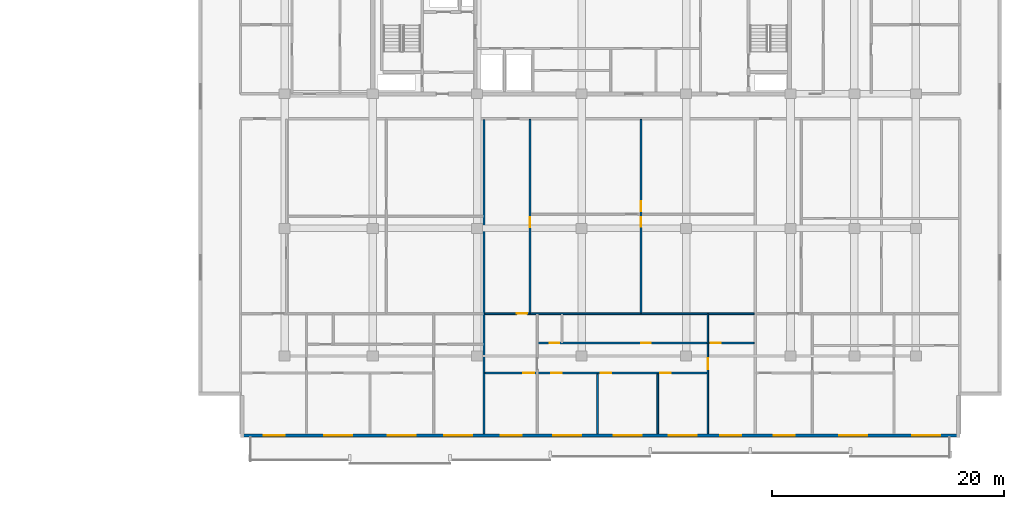
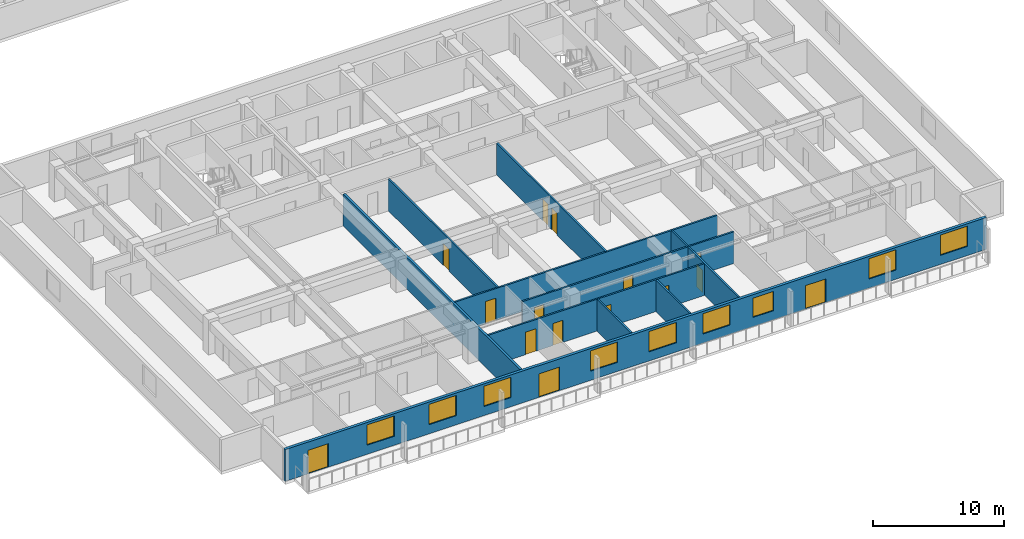
# One storey, part 4 of 23: 15 doors, 11 walls, 9 windows, 24 openings.
"""IFC4 building model written with IfcOpenShell, lengths in metres."""

from ifc_helpers import new_model, si_unit, direction, frame, frame_2d, origin, place, context, subcontext, project, spatial, rectangle, extrude, material, layer, layer_set, type_object, element, fill, save


model = new_model("IFC4")

# Units and contexts
model_context = context("Model", 3, precision=1e-05, world=origin(), true_north=direction((0.0, 1.0)))
body_context = subcontext(model_context, "Body", "Model", "MODEL_VIEW")
ifc_project = project(units=[si_unit("LENGTHUNIT", "METRE"), si_unit("AREAUNIT", "SQUARE_METRE"), si_unit("VOLUMEUNIT", "CUBIC_METRE"), si_unit("PLANEANGLEUNIT", "RADIAN"), si_unit("MASSUNIT", "GRAM", prefix="KILO")], contexts=[model_context])

# Site, building, storey
site_placement = place(None, origin())
site = spatial("IfcSite", under=ifc_project, at=site_placement, CompositionType="ELEMENT")
building_placement = place(site_placement, origin())
building = spatial("IfcBuilding", under=site, at=building_placement, Name="Korimba Cascade Residences", CompositionType="ELEMENT")
storey_placement = place(building_placement, frame((0.0, 0.0, 59.75)))
storey = spatial("IfcBuildingStorey", under=building, at=storey_placement, Name="L16", CompositionType="ELEMENT", Elevation=59.75)

# Wall, openings, doors, windows
ifc_material_1 = material(Name="Precast concrete C40/50", Category="concrete")
ifc_layer_1 = layer(ifc_material_1, 0.25)
ifc_layer_set_1 = layer_set([ifc_layer_1], Name="Precast concrete C40/50")
wall_type_1 = type_object("IfcWallType", Name="EW-LOG-250", PredefinedType="STANDARD", material=ifc_layer_set_1)
wall_1_placement = place(storey_placement, frame((70.699951171875, -11.050048828125, 0.0), z_axis=(0.0, 0.0, 1.0), x_axis=(1.0, 0.0, 0.0)))
wall_1 = element("IfcWall", 1, at=wall_1_placement, inside=storey, type_object=wall_type_1, Name="L16 T2 Perimeter Stone Wall E00", PredefinedType="STANDARD", context=body_context, shape_type="SweptSolid", body=[
    extrude(rectangle(XDim=62.0, YDim=0.25, at=frame_2d((31.0, 0.0))), origin(), (0.0, 0.0, 1.0), 2.969970703125),
])
opening_1_placement = place(wall_1_placement, frame((7.224609375, 0.0, 0.85009765625)))
opening_1 = element("IfcOpeningElement", 2, at=opening_1_placement, cuts=wall_1, Name="Opening W-01", PredefinedType="OPENING", context=body_context, shape_type="SweptSolid", body=[
    extrude(rectangle(XDim=2.39990234375, YDim=1.89990234375, at=frame_2d((1.199951171875, 0.949951171875))), frame((0.0, 0.135009765625, 0.0), z_axis=(0.0, -1.0, 0.0), x_axis=(1.0, 0.0, 0.0)), (0.0, 0.0, 1.0), 0.27001953125),
])
opening_2_placement = place(wall_1_placement, frame((12.7138671875, 0.0, 0.85009765625)))
opening_2 = element("IfcOpeningElement", 3, at=opening_2_placement, cuts=wall_1, Name="Opening W-01", PredefinedType="OPENING", context=body_context, shape_type="SweptSolid", body=[
    extrude(rectangle(XDim=2.39990234375, YDim=1.89990234375, at=frame_2d((1.199951171875, 0.949951171875))), frame((0.0, 0.135009765625, 0.0), z_axis=(0.0, -1.0, 0.0), x_axis=(1.0, 0.0, 0.0)), (0.0, 0.0, 1.0), 0.27001953125),
])
opening_3_placement = place(wall_1_placement, frame((2.0, 0.0, 0.0)))
opening_3 = element("IfcOpeningElement", 4, at=opening_3_placement, cuts=wall_1, Name="Opening D-LG1", PredefinedType="OPENING", context=body_context, shape_type="SweptSolid", body=[
    extrude(rectangle(XDim=1.800048828125, YDim=2.199951171875, at=frame_2d((0.89990234375, 1.10009765625))), frame((0.0, 0.135009765625, 0.0), z_axis=(0.0, -1.0, 0.0), x_axis=(1.0, 0.0, 0.0)), (0.0, 0.0, 1.0), 0.27001953125),
])
opening_4_placement = place(wall_1_placement, frame((17.5634765625, 0.0, 0.85009765625)))
opening_4 = element("IfcOpeningElement", 5, at=opening_4_placement, cuts=wall_1, Name="Opening W-01", PredefinedType="OPENING", context=body_context, shape_type="SweptSolid", body=[
    extrude(rectangle(XDim=2.39990234375, YDim=1.89990234375, at=frame_2d((1.199951171875, 0.949951171875))), frame((0.0, 0.135009765625, 0.0), z_axis=(0.0, -1.0, 0.0), x_axis=(1.0, 0.0, 0.0)), (0.0, 0.0, 1.0), 0.27001953125),
])
opening_5_placement = place(wall_1_placement, frame((26.968505859375, 0.0, 0.85009765625)))
opening_5 = element("IfcOpeningElement", 6, at=opening_5_placement, cuts=wall_1, Name="Opening W-01", PredefinedType="OPENING", context=body_context, shape_type="SweptSolid", body=[
    extrude(rectangle(XDim=2.39990234375, YDim=1.89990234375, at=frame_2d((1.199951171875, 0.949951171875))), frame((0.0, 0.135009765625, 0.0), z_axis=(0.0, -1.0, 0.0), x_axis=(1.0, 0.0, 0.0)), (0.0, 0.0, 1.0), 0.27001953125),
])
opening_6_placement = place(wall_1_placement, frame((32.16845703125, 0.0, 0.85009765625)))
opening_6 = element("IfcOpeningElement", 7, at=opening_6_placement, cuts=wall_1, Name="Opening W-01", PredefinedType="OPENING", context=body_context, shape_type="SweptSolid", body=[
    extrude(rectangle(XDim=2.39990234375, YDim=1.89990234375, at=frame_2d((1.199951171875, 0.949951171875))), frame((0.0, 0.135009765625, 0.0), z_axis=(0.0, -1.0, 0.0), x_axis=(1.0, 0.0, 0.0)), (0.0, 0.0, 1.0), 0.27001953125),
])
opening_7_placement = place(wall_1_placement, frame((36.92431640625, 0.0, 0.85009765625)))
opening_7 = element("IfcOpeningElement", 8, at=opening_7_placement, cuts=wall_1, Name="Opening W-01", PredefinedType="OPENING", context=body_context, shape_type="SweptSolid", body=[
    extrude(rectangle(XDim=2.39990234375, YDim=1.89990234375, at=frame_2d((1.199951171875, 0.949951171875))), frame((0.0, 0.135009765625, 0.0), z_axis=(0.0, -1.0, 0.0), x_axis=(1.0, 0.0, 0.0)), (0.0, 0.0, 1.0), 0.27001953125),
])
opening_8_placement = place(wall_1_placement, frame((22.4384765625, 0.0, 0.0)))
opening_8 = element("IfcOpeningElement", 9, at=opening_8_placement, cuts=wall_1, Name="Opening D-LG1", PredefinedType="OPENING", context=body_context, shape_type="SweptSolid", body=[
    extrude(rectangle(XDim=1.800048828125, YDim=2.199951171875, at=frame_2d((0.89990234375, 1.10009765625))), frame((0.0, 0.135009765625, 0.0), z_axis=(0.0, -1.0, 0.0), x_axis=(1.0, 0.0, 0.0)), (0.0, 0.0, 1.0), 0.27001953125),
])
opening_9_placement = place(wall_1_placement, frame((41.35791015625, 0.0, 0.85009765625)))
opening_9 = element("IfcOpeningElement", 10, at=opening_9_placement, cuts=wall_1, Name="Opening W-02", PredefinedType="OPENING", context=body_context, shape_type="SweptSolid", body=[
    extrude(rectangle(XDim=1.800048828125, YDim=1.800048828125, at=frame_2d((0.89990234375, 0.89990234375))), frame((0.0, 0.135009765625, 0.0), z_axis=(0.0, -1.0, 0.0), x_axis=(1.0, 0.0, 0.0)), (0.0, 0.0, 1.0), 0.27001953125),
])
opening_10_placement = place(wall_1_placement, frame((51.60009765625, 0.0, 0.85009765625)))
opening_10 = element("IfcOpeningElement", 11, at=opening_10_placement, cuts=wall_1, Name="Opening W-01", PredefinedType="OPENING", context=body_context, shape_type="SweptSolid", body=[
    extrude(rectangle(XDim=2.39990234375, YDim=1.89990234375, at=frame_2d((1.199951171875, 0.949951171875))), frame((0.0, 0.135009765625, 0.0), z_axis=(0.0, -1.0, 0.0), x_axis=(1.0, 0.0, 0.0)), (0.0, 0.0, 1.0), 0.27001953125),
])
opening_11_placement = place(wall_1_placement, frame((45.977783203125, 0.0, 0.0)))
opening_11 = element("IfcOpeningElement", 12, at=opening_11_placement, cuts=wall_1, Name="Opening D-LG1", PredefinedType="OPENING", context=body_context, shape_type="SweptSolid", body=[
    extrude(rectangle(XDim=1.800048828125, YDim=2.199951171875, at=frame_2d((0.89990234375, 1.10009765625))), frame((0.0, 0.135009765625, 0.0), z_axis=(0.0, -1.0, 0.0), x_axis=(1.0, 0.0, 0.0)), (0.0, 0.0, 1.0), 0.27001953125),
])
opening_12_placement = place(wall_1_placement, frame((57.89990234375, 0.0, 0.85009765625)))
opening_12 = element("IfcOpeningElement", 13, at=opening_12_placement, cuts=wall_1, Name="Opening W-01", PredefinedType="OPENING", context=body_context, shape_type="SweptSolid", body=[
    extrude(rectangle(XDim=2.39990234375, YDim=1.89990234375, at=frame_2d((1.199951171875, 0.949951171875))), frame((0.0, 0.135009765625, 0.0), z_axis=(0.0, -1.0, 0.0), x_axis=(1.0, 0.0, 0.0)), (0.0, 0.0, 1.0), 0.27001953125),
])
ifc_material_2 = material(Name="Glazed Aluminium Loggia Sliding Door", Category="aluminium")
door_type_1 = type_object("IfcDoorType", Name="DR-EXT-LOG", OperationType="NOTDEFINED", PredefinedType="DOOR", material=ifc_material_2)
door_1_placement = place(opening_3_placement, origin())
door_1 = element("IfcDoor", 14, at=door_1_placement, inside=storey, type_object=door_type_1, Name="L16 T2 Loggia Sliding Door 5", OperationType="SLIDING_TO_RIGHT", OverallHeight=2.199951171875, OverallWidth=1.800048828125, PredefinedType="DOOR", context=body_context, shape_type="SweptSolid", body=[
    extrude(rectangle(XDim=1.800048828125, YDim=2.199951171875, at=frame_2d((0.89990234375, 1.10009765625))), frame((0.0, 0.02490234375, 0.0), z_axis=(0.0, -1.0, 0.0), x_axis=(1.0, 0.0, 0.0)), (0.0, 0.0, 1.0), 0.050048828125),
])
fill(opening_3, door_1)
door_2_placement = place(opening_8_placement, origin())
door_2 = element("IfcDoor", 15, at=door_2_placement, inside=storey, type_object=door_type_1, Name="L16 T2 Loggia Sliding Door 10", OperationType="SLIDING_TO_RIGHT", OverallHeight=2.199951171875, OverallWidth=1.800048828125, PredefinedType="DOOR", context=body_context, shape_type="SweptSolid", body=[
    extrude(rectangle(XDim=1.800048828125, YDim=2.199951171875, at=frame_2d((0.89990234375, 1.10009765625))), frame((0.0, 0.02490234375, 0.0), z_axis=(0.0, -1.0, 0.0), x_axis=(1.0, 0.0, 0.0)), (0.0, 0.0, 1.0), 0.050048828125),
])
fill(opening_8, door_2)
door_3_placement = place(opening_11_placement, origin())
door_3 = element("IfcDoor", 16, at=door_3_placement, inside=storey, type_object=door_type_1, Name="L16 T2 Loggia Sliding Door 13", OperationType="SLIDING_TO_RIGHT", OverallHeight=2.199951171875, OverallWidth=1.800048828125, PredefinedType="DOOR", context=body_context, shape_type="SweptSolid", body=[
    extrude(rectangle(XDim=1.800048828125, YDim=2.199951171875, at=frame_2d((0.89990234375, 1.10009765625))), frame((0.0, 0.02490234375, 0.0), z_axis=(0.0, -1.0, 0.0), x_axis=(1.0, 0.0, 0.0)), (0.0, 0.0, 1.0), 0.050048828125),
])
fill(opening_11, door_3)
ifc_material_3 = material(Name="Double-Glazed Aluminium Window", Category="aluminium")
window_type_1 = type_object("IfcWindowType", Name="WIN-BED-1800", PartitioningType="SINGLE_PANEL", PredefinedType="WINDOW", material=ifc_material_3)
window_1_placement = place(opening_9_placement, origin())
window_1 = element("IfcWindow", 17, at=window_1_placement, inside=storey, type_object=window_type_1, Name="L16 T2 South Facade Window 11", OverallHeight=1.800048828125, OverallWidth=1.800048828125, PartitioningType="SINGLE_PANEL", PredefinedType="WINDOW", context=body_context, shape_type="SweptSolid", body=[
    extrude(rectangle(XDim=1.800048828125, YDim=1.800048828125, at=frame_2d((0.89990234375, 0.89990234375))), frame((0.0, 0.030029296875, 0.0), z_axis=(0.0, -1.0, 0.0), x_axis=(1.0, 0.0, 0.0)), (0.0, 0.0, 1.0), 0.06005859375),
])
fill(opening_9, window_1)
window_type_2 = type_object("IfcWindowType", Name="WIN-RES-2400", PartitioningType="DOUBLE_PANEL_VERTICAL", PredefinedType="WINDOW", material=ifc_material_3)
window_2_placement = place(opening_1_placement, origin())
window_2 = element("IfcWindow", 18, at=window_2_placement, inside=storey, type_object=window_type_2, Name="L16 T2 South Facade Window 3", OverallHeight=1.89990234375, OverallWidth=2.39990234375, PartitioningType="DOUBLE_PANEL_VERTICAL", PredefinedType="WINDOW", context=body_context, shape_type="SweptSolid", body=[
    extrude(rectangle(XDim=2.39990234375, YDim=1.89990234375, at=frame_2d((1.199951171875, 0.949951171875))), frame((0.0, 0.030029296875, 0.0), z_axis=(0.0, -1.0, 0.0), x_axis=(1.0, 0.0, 0.0)), (0.0, 0.0, 1.0), 0.06005859375),
])
fill(opening_1, window_2)
window_3_placement = place(opening_2_placement, origin())
window_3 = element("IfcWindow", 19, at=window_3_placement, inside=storey, type_object=window_type_2, Name="L16 T2 South Facade Window 4", OverallHeight=1.89990234375, OverallWidth=2.39990234375, PartitioningType="DOUBLE_PANEL_VERTICAL", PredefinedType="WINDOW", context=body_context, shape_type="SweptSolid", body=[
    extrude(rectangle(XDim=2.39990234375, YDim=1.89990234375, at=frame_2d((1.199951171875, 0.949951171875))), frame((0.0, 0.030029296875, 0.0), z_axis=(0.0, -1.0, 0.0), x_axis=(1.0, 0.0, 0.0)), (0.0, 0.0, 1.0), 0.06005859375),
])
fill(opening_2, window_3)
window_4_placement = place(opening_4_placement, origin())
window_4 = element("IfcWindow", 20, at=window_4_placement, inside=storey, type_object=window_type_2, Name="L16 T2 South Facade Window 6", OverallHeight=1.89990234375, OverallWidth=2.39990234375, PartitioningType="DOUBLE_PANEL_VERTICAL", PredefinedType="WINDOW", context=body_context, shape_type="SweptSolid", body=[
    extrude(rectangle(XDim=2.39990234375, YDim=1.89990234375, at=frame_2d((1.199951171875, 0.949951171875))), frame((0.0, 0.030029296875, 0.0), z_axis=(0.0, -1.0, 0.0), x_axis=(1.0, 0.0, 0.0)), (0.0, 0.0, 1.0), 0.06005859375),
])
fill(opening_4, window_4)
window_5_placement = place(opening_5_placement, origin())
window_5 = element("IfcWindow", 21, at=window_5_placement, inside=storey, type_object=window_type_2, Name="L16 T2 South Facade Window 7", OverallHeight=1.89990234375, OverallWidth=2.39990234375, PartitioningType="DOUBLE_PANEL_VERTICAL", PredefinedType="WINDOW", context=body_context, shape_type="SweptSolid", body=[
    extrude(rectangle(XDim=2.39990234375, YDim=1.89990234375, at=frame_2d((1.199951171875, 0.949951171875))), frame((0.0, 0.030029296875, 0.0), z_axis=(0.0, -1.0, 0.0), x_axis=(1.0, 0.0, 0.0)), (0.0, 0.0, 1.0), 0.06005859375),
])
fill(opening_5, window_5)
window_6_placement = place(opening_6_placement, origin())
window_6 = element("IfcWindow", 22, at=window_6_placement, inside=storey, type_object=window_type_2, Name="L16 T2 South Facade Window 8", OverallHeight=1.89990234375, OverallWidth=2.39990234375, PartitioningType="DOUBLE_PANEL_VERTICAL", PredefinedType="WINDOW", context=body_context, shape_type="SweptSolid", body=[
    extrude(rectangle(XDim=2.39990234375, YDim=1.89990234375, at=frame_2d((1.199951171875, 0.949951171875))), frame((0.0, 0.030029296875, 0.0), z_axis=(0.0, -1.0, 0.0), x_axis=(1.0, 0.0, 0.0)), (0.0, 0.0, 1.0), 0.06005859375),
])
fill(opening_6, window_6)
window_7_placement = place(opening_7_placement, origin())
window_7 = element("IfcWindow", 23, at=window_7_placement, inside=storey, type_object=window_type_2, Name="L16 T2 South Facade Window 9", OverallHeight=1.89990234375, OverallWidth=2.39990234375, PartitioningType="DOUBLE_PANEL_VERTICAL", PredefinedType="WINDOW", context=body_context, shape_type="SweptSolid", body=[
    extrude(rectangle(XDim=2.39990234375, YDim=1.89990234375, at=frame_2d((1.199951171875, 0.949951171875))), frame((0.0, 0.030029296875, 0.0), z_axis=(0.0, -1.0, 0.0), x_axis=(1.0, 0.0, 0.0)), (0.0, 0.0, 1.0), 0.06005859375),
])
fill(opening_7, window_7)
window_8_placement = place(opening_10_placement, origin())
window_8 = element("IfcWindow", 24, at=window_8_placement, inside=storey, type_object=window_type_2, Name="L16 T2 South Facade Window 12", OverallHeight=1.89990234375, OverallWidth=2.39990234375, PartitioningType="DOUBLE_PANEL_VERTICAL", PredefinedType="WINDOW", context=body_context, shape_type="SweptSolid", body=[
    extrude(rectangle(XDim=2.39990234375, YDim=1.89990234375, at=frame_2d((1.199951171875, 0.949951171875))), frame((0.0, 0.030029296875, 0.0), z_axis=(0.0, -1.0, 0.0), x_axis=(1.0, 0.0, 0.0)), (0.0, 0.0, 1.0), 0.06005859375),
])
fill(opening_10, window_8)
window_9_placement = place(opening_12_placement, origin())
window_9 = element("IfcWindow", 25, at=window_9_placement, inside=storey, type_object=window_type_2, Name="L16 T2 South Facade Window 14", OverallHeight=1.89990234375, OverallWidth=2.39990234375, PartitioningType="DOUBLE_PANEL_VERTICAL", PredefinedType="WINDOW", context=body_context, shape_type="SweptSolid", body=[
    extrude(rectangle(XDim=2.39990234375, YDim=1.89990234375, at=frame_2d((1.199951171875, 0.949951171875))), frame((0.0, 0.030029296875, 0.0), z_axis=(0.0, -1.0, 0.0), x_axis=(1.0, 0.0, 0.0)), (0.0, 0.0, 1.0), 0.06005859375),
])
fill(opening_12, window_9)

# Wall
ifc_layer_2 = layer(ifc_material_1, 0.199951171875)
ifc_layer_set_2 = layer_set([ifc_layer_2], Name="Precast concrete C40/50")
wall_type_2 = type_object("IfcWallType", Name="WAL-IT-200", PredefinedType="PARTITIONING", material=ifc_layer_set_2)
wall_2_placement = place(storey_placement, frame((91.6884765625, -10.89990234375, 0.0), z_axis=(0.0, 0.0, 1.0), x_axis=(0.0, 1.0, 0.0)))
element("IfcWall", 26, at=wall_2_placement, inside=storey, type_object=wall_type_2, Name="L16 Partition Wall WAL-L16-T2-DEM-1", PredefinedType="PARTITIONING", context=body_context, shape_type="SweptSolid", body=[
    extrude(rectangle(XDim=27.06982421875, YDim=0.199951171875, at=frame_2d((13.534912109375, 0.0))), origin(), (0.0, 0.0, 1.0), 2.969970703125),
])

# Wall, openings, doors
ifc_material_4 = material(Name="Insulated Acoustic Stud Partition", Category="gypsum")
ifc_layer_3 = layer(ifc_material_4, 0.14990234375)
ifc_layer_set_3 = layer_set([ifc_layer_3], Name="Insulated Acoustic Stud Partition")
wall_type_3 = type_object("IfcWallType", Name="WAL-PART-150", PredefinedType="PARTITIONING", material=ifc_layer_set_3)
wall_3_placement = place(storey_placement, frame((105.227294921875, -0.510009765625, 0.0), z_axis=(0.0, 0.0, 1.0), x_axis=(0.0, 1.0, 0.0)))
wall_3 = element("IfcWall", 27, at=wall_3_placement, inside=storey, type_object=wall_type_3, Name="L16 Partition Wall WAL-L16-T2-U02-FMV", PredefinedType="PARTITIONING", context=body_context, shape_type="SweptSolid", body=[
    extrude(rectangle(XDim=16.699951171875, YDim=0.14990234375, at=frame_2d((8.35009765625, 0.0))), origin(), (0.0, 0.0, 1.0), 2.969970703125),
])
opening_13_placement = place(wall_3_placement, frame((7.43994140625, 0.0, 0.0)))
opening_13 = element("IfcOpeningElement", 28, at=opening_13_placement, cuts=wall_3, Name="Opening D-BT1", PredefinedType="OPENING", context=body_context, shape_type="SweptSolid", body=[
    extrude(rectangle(XDim=0.840087890625, YDim=2.0400390625, at=frame_2d((0.419921875, 1.02001953125))), frame((0.0, 0.0849609375, 0.0), z_axis=(0.0, -1.0, 0.0), x_axis=(1.0, 0.0, 0.0)), (0.0, 0.0, 1.0), 0.169921875),
])
opening_14_placement = place(wall_3_placement, frame((8.780029296875, 0.0, 0.0)))
opening_14 = element("IfcOpeningElement", 29, at=opening_14_placement, cuts=wall_3, Name="Opening D-IN2", PredefinedType="OPENING", context=body_context, shape_type="SweptSolid", body=[
    extrude(rectangle(XDim=0.8798828125, YDim=2.06005859375, at=frame_2d((0.43994140625, 1.030029296875))), frame((0.0, 0.0849609375, 0.0), z_axis=(0.0, -1.0, 0.0), x_axis=(1.0, 0.0, 0.0)), (0.0, 0.0, 1.0), 0.169921875),
])
ifc_material_5 = material(Name="Moisture-Resistant Bathroom Timber Door", Category="wood")
door_type_2 = type_object("IfcDoorType", Name="DR-INT-850", OperationType="NOTDEFINED", PredefinedType="DOOR", material=ifc_material_5)
door_4_placement = place(opening_13_placement, origin())
door_4 = element("IfcDoor", 30, at=door_4_placement, inside=storey, type_object=door_type_2, Name="L16-T2-U02 Wardrobe Door", OperationType="SINGLE_SWING_RIGHT", OverallHeight=2.0400390625, OverallWidth=0.840087890625, PredefinedType="DOOR", context=body_context, shape_type="SweptSolid", body=[
    extrude(rectangle(XDim=0.840087890625, YDim=2.0400390625, at=frame_2d((0.419921875, 1.02001953125))), frame((0.0, 0.02490234375, 0.0), z_axis=(0.0, -1.0, 0.0), x_axis=(1.0, 0.0, 0.0)), (0.0, 0.0, 1.0), 0.050048828125),
])
fill(opening_13, door_4)
ifc_material_6 = material(Name="Acoustic Timber Bedroom Door", Category="wood")
door_type_3 = type_object("IfcDoorType", Name="DR-INT-880", OperationType="NOTDEFINED", PredefinedType="DOOR", material=ifc_material_6)
door_5_placement = place(opening_14_placement, origin())
door_5 = element("IfcDoor", 31, at=door_5_placement, inside=storey, type_object=door_type_3, Name="L16-T2-U02 Music Lounge Door", OperationType="SINGLE_SWING_LEFT", OverallHeight=2.06005859375, OverallWidth=0.8798828125, PredefinedType="DOOR", context=body_context, shape_type="SweptSolid", body=[
    extrude(rectangle(XDim=0.8798828125, YDim=2.06005859375, at=frame_2d((0.43994140625, 1.030029296875))), frame((0.0, 0.02490234375, 0.0), z_axis=(0.0, -1.0, 0.0), x_axis=(1.0, 0.0, 0.0)), (0.0, 0.0, 1.0), 0.050048828125),
])
fill(opening_14, door_5)

# Wall, opening, door
wall_4_placement = place(storey_placement, frame((95.658447265625, -0.510009765625, 0.0), z_axis=(0.0, 0.0, 1.0), x_axis=(0.0, 1.0, 0.0)))
wall_4 = element("IfcWall", 32, at=wall_4_placement, inside=storey, type_object=wall_type_3, Name="L16 Partition Wall WAL-L16-T2-U02-FV", PredefinedType="PARTITIONING", context=body_context, shape_type="SweptSolid", body=[
    extrude(rectangle(XDim=16.699951171875, YDim=0.14990234375, at=frame_2d((8.35009765625, 0.0))), origin(), (0.0, 0.0, 1.0), 2.969970703125),
])
opening_15_placement = place(wall_4_placement, frame((7.39990234375, 0.0, 0.0)))
opening_15 = element("IfcOpeningElement", 33, at=opening_15_placement, cuts=wall_4, Name="Opening D-IN2", PredefinedType="OPENING", context=body_context, shape_type="SweptSolid", body=[
    extrude(rectangle(XDim=0.8798828125, YDim=2.06005859375, at=frame_2d((0.43994140625, 1.030029296875))), frame((0.0, 0.0849609375, 0.0), z_axis=(0.0, -1.0, 0.0), x_axis=(1.0, 0.0, 0.0)), (0.0, 0.0, 1.0), 0.169921875),
])
door_6_placement = place(opening_15_placement, origin())
door_6 = element("IfcDoor", 34, at=door_6_placement, inside=storey, type_object=door_type_3, Name="L16-T2-U02 Media Lounge Door", OperationType="SINGLE_SWING_LEFT", OverallHeight=2.06005859375, OverallWidth=0.8798828125, PredefinedType="DOOR", context=body_context, shape_type="SweptSolid", body=[
    extrude(rectangle(XDim=0.8798828125, YDim=2.06005859375, at=frame_2d((0.43994140625, 1.030029296875))), frame((0.0, 0.02490234375, 0.0), z_axis=(0.0, -1.0, 0.0), x_axis=(1.0, 0.0, 0.0)), (0.0, 0.0, 1.0), 0.050048828125),
])
fill(opening_15, door_6)

# Walls
for number, where, z_axis, x_axis, name in (
    (35, (101.468505859375, -10.89990234375, 0.0), (0.0, 0.0, 1.0), (0.0, 1.0, 0.0), "L16 Partition Wall WAL-L16-T2-U02-VB2"),
    (36, (106.66845703125, -10.89990234375, 0.0), (0.0, 0.0, 1.0), (0.0, 1.0, 0.0), "L16 Partition Wall WAL-L16-T2-U02-VB3"),
):
    element("IfcWall", number, at=place(storey_placement, frame(where, z_axis=z_axis, x_axis=x_axis)), inside=storey, type_object=wall_type_3, Name=name, PredefinedType="PARTITIONING", context=body_context, shape_type="SweptSolid", body=[
        extrude(rectangle(XDim=5.169921875, YDim=0.14990234375, at=frame_2d((2.5849609375, 0.0))), origin(), (0.0, 0.0, 1.0), 2.969970703125),
    ])
wall_5_placement = place(storey_placement, frame((110.97998046875, -3.06005859375, 0.0), z_axis=(0.0, 0.0, 1.0), x_axis=(0.0, 1.0, 0.0)))
element("IfcWall", 37, at=wall_5_placement, inside=storey, type_object=wall_type_3, Name="L16 Partition Wall WAL-L16-T2-U02-VBATH", PredefinedType="PARTITIONING", context=body_context, shape_type="SweptSolid", body=[
    extrude(rectangle(XDim=2.469970703125, YDim=0.14990234375, at=frame_2d((1.23486328125, 0.0))), origin(), (0.0, 0.0, 1.0), 2.969970703125),
])

# Wall, opening, door
wall_6_placement = place(storey_placement, frame((110.97998046875, -10.89990234375, 0.0), z_axis=(0.0, 0.0, 1.0), x_axis=(0.0, 1.0, 0.0)))
wall_6 = element("IfcWall", 38, at=wall_6_placement, inside=storey, type_object=wall_type_3, Name="L16 Partition Wall WAL-L16-T2-U02-V2FULL", PredefinedType="PARTITIONING", context=body_context, shape_type="SweptSolid", body=[
    extrude(rectangle(XDim=7.7998046875, YDim=0.14990234375, at=frame_2d((3.89990234375, 0.0))), origin(), (0.0, 0.0, 1.0), 2.969970703125),
])
opening_16_placement = place(wall_6_placement, frame((5.570068359375, 0.0, 0.0)))
opening_16 = element("IfcOpeningElement", 39, at=opening_16_placement, cuts=wall_6, Name="Opening D-IN1", PredefinedType="OPENING", context=body_context, shape_type="SweptSolid", body=[
    extrude(rectangle(XDim=0.919921875, YDim=2.080078125, at=frame_2d((0.4599609375, 1.0400390625))), frame((0.0, 0.0849609375, 0.0), z_axis=(0.0, -1.0, 0.0), x_axis=(1.0, 0.0, 0.0)), (0.0, 0.0, 1.0), 0.169921875),
])
ifc_material_7 = material(Name="Acoustic Timber Living Door", Category="wood")
door_type_4 = type_object("IfcDoorType", Name="DR-INT-920", OperationType="NOTDEFINED", PredefinedType="DOOR", material=ifc_material_7)
door_7_placement = place(opening_16_placement, origin())
door_7 = element("IfcDoor", 40, at=door_7_placement, inside=storey, type_object=door_type_4, Name="L16-T2-U02 Master Bedroom Door", OperationType="SINGLE_SWING_LEFT", OverallHeight=2.080078125, OverallWidth=0.919921875, PredefinedType="DOOR", context=body_context, shape_type="SweptSolid", body=[
    extrude(rectangle(XDim=0.919921875, YDim=2.080078125, at=frame_2d((0.4599609375, 1.0400390625))), frame((0.0, 0.02490234375, 0.0), z_axis=(0.0, -1.0, 0.0), x_axis=(1.0, 0.0, 0.0)), (0.0, 0.0, 1.0), 0.050048828125),
])
fill(opening_16, door_7)

# Wall, openings, doors
wall_7_placement = place(storey_placement, frame((96.30859375, -3.080078125, 0.0), z_axis=(0.0, 0.0, 1.0), x_axis=(1.0, 0.0, 0.0)))
wall_7 = element("IfcWall", 41, at=wall_7_placement, inside=storey, type_object=wall_type_3, Name="L16 Partition Wall WAL-L16-T2-U02-HWALL", PredefinedType="PARTITIONING", context=body_context, shape_type="SweptSolid", body=[
    extrude(rectangle(XDim=18.667236328125, YDim=0.14990234375, at=frame_2d((9.33349609375, 0.0))), origin(), (0.0, 0.0, 1.0), 2.969970703125),
])
opening_17_placement = place(wall_7_placement, frame((1.033935546875, 0.0, 0.0)))
opening_17 = element("IfcOpeningElement", 42, at=opening_17_placement, cuts=wall_7, Name="Opening D-BT1", PredefinedType="OPENING", context=body_context, shape_type="SweptSolid", body=[
    extrude(rectangle(XDim=0.840087890625, YDim=2.0400390625, at=frame_2d((0.419921875, 1.02001953125))), frame((0.0, 0.0849609375, 0.0), z_axis=(0.0, -1.0, 0.0), x_axis=(1.0, 0.0, 0.0)), (0.0, 0.0, 1.0), 0.169921875),
])
opening_18_placement = place(wall_7_placement, frame((8.913818359375, 0.0, 0.0)))
opening_18 = element("IfcOpeningElement", 43, at=opening_18_placement, cuts=wall_7, Name="Opening D-BT1", PredefinedType="OPENING", context=body_context, shape_type="SweptSolid", body=[
    extrude(rectangle(XDim=0.840087890625, YDim=2.0400390625, at=frame_2d((0.419921875, 1.02001953125))), frame((0.0, 0.0849609375, 0.0), z_axis=(0.0, -1.0, 0.0), x_axis=(1.0, 0.0, 0.0)), (0.0, 0.0, 1.0), 0.169921875),
])
opening_19_placement = place(wall_7_placement, frame((14.92138671875, 0.0, 0.0)))
opening_19 = element("IfcOpeningElement", 44, at=opening_19_placement, cuts=wall_7, Name="Opening D-BT1", PredefinedType="OPENING", context=body_context, shape_type="SweptSolid", body=[
    extrude(rectangle(XDim=0.840087890625, YDim=2.0400390625, at=frame_2d((0.419921875, 1.02001953125))), frame((0.0, 0.0849609375, 0.0), z_axis=(0.0, -1.0, 0.0), x_axis=(1.0, 0.0, 0.0)), (0.0, 0.0, 1.0), 0.169921875),
])
door_8_placement = place(opening_17_placement, origin())
door_8 = element("IfcDoor", 45, at=door_8_placement, inside=storey, type_object=door_type_2, Name="L16-T2-U02 Family Bathroom Door", OperationType="SINGLE_SWING_RIGHT", OverallHeight=2.0400390625, OverallWidth=0.840087890625, PredefinedType="DOOR", context=body_context, shape_type="SweptSolid", body=[
    extrude(rectangle(XDim=0.840087890625, YDim=2.0400390625, at=frame_2d((0.419921875, 1.02001953125))), frame((0.0, 0.02490234375, 0.0), z_axis=(0.0, -1.0, 0.0), x_axis=(1.0, 0.0, 0.0)), (0.0, 0.0, 1.0), 0.050048828125),
])
fill(opening_17, door_8)
door_9_placement = place(opening_18_placement, origin())
door_9 = element("IfcDoor", 46, at=door_9_placement, inside=storey, type_object=door_type_2, Name="L16-T2-U02 Dressing Room Door", OperationType="SINGLE_SWING_LEFT", OverallHeight=2.0400390625, OverallWidth=0.840087890625, PredefinedType="DOOR", context=body_context, shape_type="SweptSolid", body=[
    extrude(rectangle(XDim=0.840087890625, YDim=2.0400390625, at=frame_2d((0.419921875, 1.02001953125))), frame((0.0, 0.02490234375, 0.0), z_axis=(0.0, -1.0, 0.0), x_axis=(1.0, 0.0, 0.0)), (0.0, 0.0, 1.0), 0.050048828125),
])
fill(opening_18, door_9)
door_10_placement = place(opening_19_placement, origin())
door_10 = element("IfcDoor", 47, at=door_10_placement, inside=storey, type_object=door_type_2, Name="L16-T2-U02 En-Suite Door", OperationType="SINGLE_SWING_RIGHT", OverallHeight=2.0400390625, OverallWidth=0.840087890625, PredefinedType="DOOR", context=body_context, shape_type="SweptSolid", body=[
    extrude(rectangle(XDim=0.840087890625, YDim=2.0400390625, at=frame_2d((0.419921875, 1.02001953125))), frame((0.0, 0.02490234375, 0.0), z_axis=(0.0, -1.0, 0.0), x_axis=(1.0, 0.0, 0.0)), (0.0, 0.0, 1.0), 0.050048828125),
])
fill(opening_19, door_10)

# Wall, opening, door
wall_8_placement = place(storey_placement, frame((91.7685546875, -0.550048828125, 0.0), z_axis=(0.0, 0.0, 1.0), x_axis=(1.0, 0.0, 0.0)))
wall_8 = element("IfcWall", 48, at=wall_8_placement, inside=storey, type_object=wall_type_3, Name="L16 Partition Wall WAL-L16-T2-U02-MW", PredefinedType="PARTITIONING", context=body_context, shape_type="SweptSolid", body=[
    extrude(rectangle(XDim=23.207275390625, YDim=0.14990234375, at=frame_2d((11.603515625, 0.0))), origin(), (0.0, 0.0, 1.0), 2.969970703125),
])
opening_20_placement = place(wall_8_placement, frame((2.719970703125, 0.0, 0.0)))
opening_20 = element("IfcOpeningElement", 49, at=opening_20_placement, cuts=wall_8, Name="Opening D-IN1", PredefinedType="OPENING", context=body_context, shape_type="SweptSolid", body=[
    extrude(rectangle(XDim=0.919921875, YDim=2.080078125, at=frame_2d((0.4599609375, 1.0400390625))), frame((0.0, 0.0849609375, 0.0), z_axis=(0.0, -1.0, 0.0), x_axis=(1.0, 0.0, 0.0)), (0.0, 0.0, 1.0), 0.169921875),
])
door_11_placement = place(opening_20_placement, origin())
door_11 = element("IfcDoor", 50, at=door_11_placement, inside=storey, type_object=door_type_4, Name="L16-T2-U02 Kitchen Door", OperationType="SINGLE_SWING_LEFT", OverallHeight=2.080078125, OverallWidth=0.919921875, PredefinedType="DOOR", context=body_context, shape_type="SweptSolid", body=[
    extrude(rectangle(XDim=0.919921875, YDim=2.080078125, at=frame_2d((0.4599609375, 1.0400390625))), frame((0.0, 0.02490234375, 0.0), z_axis=(0.0, -1.0, 0.0), x_axis=(1.0, 0.0, 0.0)), (0.0, 0.0, 1.0), 0.050048828125),
])
fill(opening_20, door_11)

# Wall, openings, doors
wall_9_placement = place(storey_placement, frame((91.7685546875, -5.64990234375, 0.0), z_axis=(0.0, 0.0, 1.0), x_axis=(1.0, 0.0, 0.0)))
wall_9 = element("IfcWall", 51, at=wall_9_placement, inside=storey, type_object=wall_type_3, Name="L16 Partition Wall WAL-L16-T2-U02-HZ", PredefinedType="PARTITIONING", context=body_context, shape_type="SweptSolid", body=[
    extrude(rectangle(XDim=19.21142578125, YDim=0.14990234375, at=frame_2d((9.605712890625, 0.0))), origin(), (0.0, 0.0, 1.0), 2.969970703125),
])
opening_21_placement = place(wall_9_placement, frame((3.31005859375, 0.0, 0.0)))
opening_21 = element("IfcOpeningElement", 52, at=opening_21_placement, cuts=wall_9, Name="Opening D-IN0", PredefinedType="OPENING", context=body_context, shape_type="SweptSolid", body=[
    extrude(rectangle(XDim=0.93994140625, YDim=2.10009765625, at=frame_2d((0.469970703125, 1.050048828125))), frame((0.0, 0.0849609375, 0.0), z_axis=(0.0, -1.0, 0.0), x_axis=(1.0, 0.0, 0.0)), (0.0, 0.0, 1.0), 0.169921875),
])
opening_22_placement = place(wall_9_placement, frame((5.728759765625, 0.0, 0.0)))
opening_22 = element("IfcOpeningElement", 53, at=opening_22_placement, cuts=wall_9, Name="Opening D-IN2", PredefinedType="OPENING", context=body_context, shape_type="SweptSolid", body=[
    extrude(rectangle(XDim=0.8798828125, YDim=2.06005859375, at=frame_2d((0.43994140625, 1.030029296875))), frame((0.0, 0.0849609375, 0.0), z_axis=(0.0, -1.0, 0.0), x_axis=(1.0, 0.0, 0.0)), (0.0, 0.0, 1.0), 0.169921875),
])
opening_23_placement = place(wall_9_placement, frame((9.99755859375, 0.0, 0.0)))
opening_23 = element("IfcOpeningElement", 54, at=opening_23_placement, cuts=wall_9, Name="Opening D-IN2", PredefinedType="OPENING", context=body_context, shape_type="SweptSolid", body=[
    extrude(rectangle(XDim=0.8798828125, YDim=2.06005859375, at=frame_2d((0.43994140625, 1.030029296875))), frame((0.0, 0.0849609375, 0.0), z_axis=(0.0, -1.0, 0.0), x_axis=(1.0, 0.0, 0.0)), (0.0, 0.0, 1.0), 0.169921875),
])
opening_24_placement = place(wall_9_placement, frame((15.1201171875, 0.0, 0.0)))
opening_24 = element("IfcOpeningElement", 55, at=opening_24_placement, cuts=wall_9, Name="Opening D-IN2", PredefinedType="OPENING", context=body_context, shape_type="SweptSolid", body=[
    extrude(rectangle(XDim=0.8798828125, YDim=2.06005859375, at=frame_2d((0.43994140625, 1.030029296875))), frame((0.0, 0.0849609375, 0.0), z_axis=(0.0, -1.0, 0.0), x_axis=(1.0, 0.0, 0.0)), (0.0, 0.0, 1.0), 0.169921875),
])
door_12_placement = place(opening_22_placement, origin())
door_12 = element("IfcDoor", 56, at=door_12_placement, inside=storey, type_object=door_type_3, Name="L16-T2-U02 Bedroom 2 Door", OperationType="SINGLE_SWING_LEFT", OverallHeight=2.06005859375, OverallWidth=0.8798828125, PredefinedType="DOOR", context=body_context, shape_type="SweptSolid", body=[
    extrude(rectangle(XDim=0.8798828125, YDim=2.06005859375, at=frame_2d((0.43994140625, 1.030029296875))), frame((0.0, 0.02490234375, 0.0), z_axis=(0.0, -1.0, 0.0), x_axis=(1.0, 0.0, 0.0)), (0.0, 0.0, 1.0), 0.050048828125),
])
fill(opening_22, door_12)
door_13_placement = place(opening_23_placement, origin())
door_13 = element("IfcDoor", 57, at=door_13_placement, inside=storey, type_object=door_type_3, Name="L16-T2-U02 Bedroom 3 Door", OperationType="SINGLE_SWING_RIGHT", OverallHeight=2.06005859375, OverallWidth=0.8798828125, PredefinedType="DOOR", context=body_context, shape_type="SweptSolid", body=[
    extrude(rectangle(XDim=0.8798828125, YDim=2.06005859375, at=frame_2d((0.43994140625, 1.030029296875))), frame((0.0, 0.02490234375, 0.0), z_axis=(0.0, -1.0, 0.0), x_axis=(1.0, 0.0, 0.0)), (0.0, 0.0, 1.0), 0.050048828125),
])
fill(opening_23, door_13)
door_14_placement = place(opening_24_placement, origin())
door_14 = element("IfcDoor", 58, at=door_14_placement, inside=storey, type_object=door_type_3, Name="L16-T2-U02 Study Door", OperationType="SINGLE_SWING_LEFT", OverallHeight=2.06005859375, OverallWidth=0.8798828125, PredefinedType="DOOR", context=body_context, shape_type="SweptSolid", body=[
    extrude(rectangle(XDim=0.8798828125, YDim=2.06005859375, at=frame_2d((0.43994140625, 1.030029296875))), frame((0.0, 0.02490234375, 0.0), z_axis=(0.0, -1.0, 0.0), x_axis=(1.0, 0.0, 0.0)), (0.0, 0.0, 1.0), 0.050048828125),
])
fill(opening_24, door_14)
ifc_material_8 = material(Name="Acoustic Timber Living Archway Door", Category="wood")
door_type_5 = type_object("IfcDoorType", Name="DR-INT-950", OperationType="NOTDEFINED", PredefinedType="DOOR", material=ifc_material_8)
door_15_placement = place(opening_21_placement, origin())
door_15 = element("IfcDoor", 59, at=door_15_placement, inside=storey, type_object=door_type_5, Name="L16-T2-U02 Living Room Door", OperationType="SINGLE_SWING_RIGHT", OverallHeight=2.10009765625, OverallWidth=0.93994140625, PredefinedType="DOOR", context=body_context, shape_type="SweptSolid", body=[
    extrude(rectangle(XDim=0.93994140625, YDim=2.10009765625, at=frame_2d((0.469970703125, 1.050048828125))), frame((0.0, 0.02490234375, 0.0), z_axis=(0.0, -1.0, 0.0), x_axis=(1.0, 0.0, 0.0)), (0.0, 0.0, 1.0), 0.050048828125),
])
fill(opening_21, door_15)

save(model, "model.ifc")
